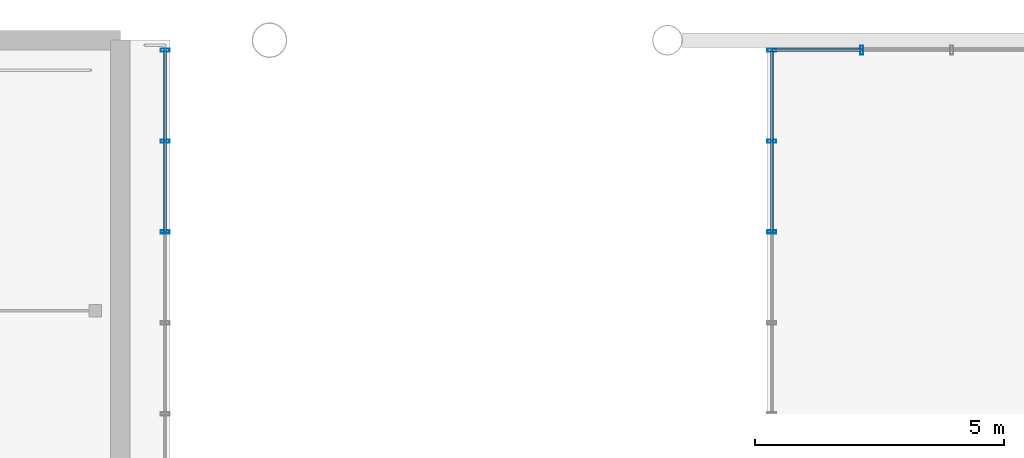
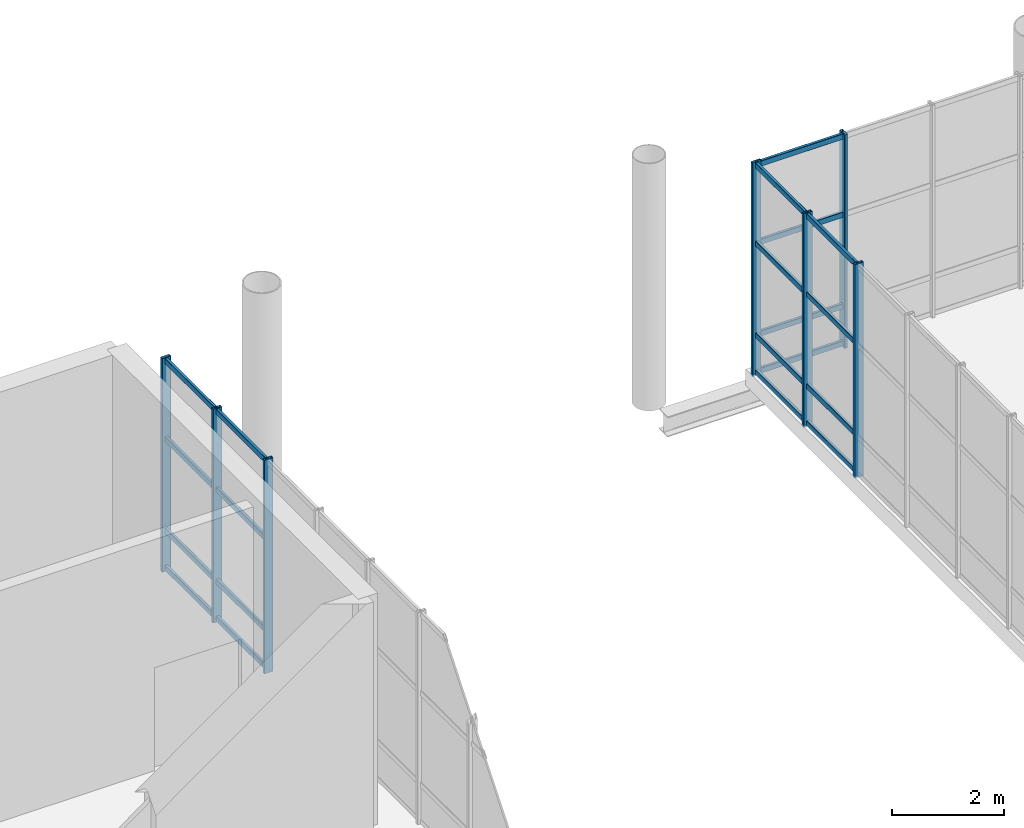
# One storey, part 113 of 176: 27 members, 3 elements without a shape of their own.
"""IFC4 building model written with IfcOpenShell, lengths in metres."""

from ifc_helpers import new_model, si_unit, direction, frame, origin, origin_2d, place, context, subcontext, project, spatial, hollow_rectangle, extrude, material, layer, layer_set, material_profile, profile_set, type_object, element, aggregate, save


model = new_model("IFC4")

# Units and contexts
model_context = context("Model", 3, precision=1e-05, world=origin(), true_north=direction((0.0, 1.0)))
body_context = subcontext(model_context, "Body", "Model", "MODEL_VIEW")
ifc_project = project(units=[si_unit("LENGTHUNIT", "METRE"), si_unit("AREAUNIT", "SQUARE_METRE"), si_unit("VOLUMEUNIT", "CUBIC_METRE"), si_unit("PLANEANGLEUNIT", "RADIAN"), si_unit("MASSUNIT", "GRAM", prefix="KILO")], contexts=[model_context])

# Site, building, storey
site_placement = place(None, origin())
site = spatial("IfcSite", under=ifc_project, at=site_placement, CompositionType="ELEMENT")
building_placement = place(site_placement, origin())
building = spatial("IfcBuilding", under=site, at=building_placement, Name="Khorjan Park Terminus", CompositionType="ELEMENT")
storey_placement = place(building_placement, frame((0.0, 0.0, 6.0)))
storey = spatial("IfcBuildingStorey", under=building, at=storey_placement, Name="L01", CompositionType="ELEMENT", Elevation=6.0)

# Curtain wall, members
ifc_material = material(Name="Anodized Bronze Aluminium", Category="aluminium")
ifc_layer = layer(ifc_material, 0.22)
ifc_layer_set = layer_set([ifc_layer], Name="Anodized Bronze Aluminium")
curtain_wall_type = type_object("IfcCurtainWallType", Name="CW-BRG-D", PredefinedType="NOTDEFINED", material=ifc_layer_set)
curtain_wall_1_placement = place(storey_placement, origin())
curtain_wall_1 = element("IfcCurtainWall", 1, at=curtain_wall_1_placement, inside=storey, type_object=curtain_wall_type, Name="Unitized curtain wall CW-D (CW-BRW-E-4)", PredefinedType="NOTDEFINED")
ifc_material_profile_1 = material_profile(ifc_material, hollow_rectangle(XDim=0.065, YDim=0.18, WallThickness=0.004, InnerFilletRadius=0.004, OuterFilletRadius=0.008, at=origin_2d()), Name="ALM 65x180x4")
ifc_profile_set_1 = profile_set([ifc_material_profile_1], Name="Anodized Bronze Aluminium")
member_type_1 = type_object("IfcMemberType", Name="ML-ALM-180", PredefinedType="MULLION", material=ifc_profile_set_1)
member_1_placement = place(storey_placement, frame((85.9, 150.1429, -0.035), z_axis=(0.0, 0.0, 1.0), x_axis=(0.0, 1.0, 0.0)))
member_1 = element("IfcMember", 2, at=member_1_placement, type_object=member_type_1, Name="Curtain-wall mullion ML-18 (CW-BRW-E-4-5)", PredefinedType="MULLION", context=body_context, shape_type="SweptSolid", body=[
    extrude(hollow_rectangle(XDim=0.065, YDim=0.18, WallThickness=0.004, InnerFilletRadius=0.004, OuterFilletRadius=0.008, at=origin_2d()), origin(), (0.0, 0.0, 1.0), 4.67),
])
member_2_placement = place(storey_placement, frame((85.9, 151.9714, -0.035), z_axis=(0.0, 0.0, 1.0), x_axis=(0.0, 1.0, 0.0)))
member_2 = element("IfcMember", 3, at=member_2_placement, type_object=member_type_1, Name="Curtain-wall mullion ML-18 (CW-BRW-E-4-6)", PredefinedType="MULLION", context=body_context, shape_type="SweptSolid", body=[
    extrude(hollow_rectangle(XDim=0.065, YDim=0.18, WallThickness=0.004, InnerFilletRadius=0.004, OuterFilletRadius=0.008, at=origin_2d()), origin(), (0.0, 0.0, 1.0), 4.67),
])
member_3_placement = place(storey_placement, frame((85.9, 153.8, -0.035), z_axis=(0.0, 0.0, 1.0), x_axis=(0.0, 1.0, 0.0)))
member_3 = element("IfcMember", 4, at=member_3_placement, type_object=member_type_1, Name="Curtain-wall mullion ML-18 (CW-BRW-E-4-7)", PredefinedType="MULLION", context=body_context, shape_type="SweptSolid", body=[
    extrude(hollow_rectangle(XDim=0.065, YDim=0.18, WallThickness=0.004, InnerFilletRadius=0.004, OuterFilletRadius=0.008, at=origin_2d()), origin(), (0.0, 0.0, 1.0), 4.67),
])

curtain_wall_2_placement = place(storey_placement, origin())
curtain_wall_2 = element("IfcCurtainWall", 5, at=curtain_wall_2_placement, inside=storey, type_object=curtain_wall_type, Name="Unitized curtain wall CW-D (CW-BRE-W-4)", PredefinedType="NOTDEFINED")
member_4_placement = place(storey_placement, frame((98.1, 153.8, -0.035), z_axis=(0.0, 0.0, 1.0), x_axis=(0.0, -1.0, 0.0)))
member_4 = element("IfcMember", 6, at=member_4_placement, type_object=member_type_1, Name="Curtain-wall mullion ML-18 (CW-BRE-W-4-0)", PredefinedType="MULLION", context=body_context, shape_type="SweptSolid", body=[
    extrude(hollow_rectangle(XDim=0.065, YDim=0.18, WallThickness=0.004, InnerFilletRadius=0.004, OuterFilletRadius=0.008, at=origin_2d()), origin(), (0.0, 0.0, 1.0), 4.67),
])
member_5_placement = place(storey_placement, frame((98.1, 151.9714, -0.035), z_axis=(0.0, 0.0, 1.0), x_axis=(0.0, -1.0, 0.0)))
member_5 = element("IfcMember", 7, at=member_5_placement, type_object=member_type_1, Name="Curtain-wall mullion ML-18 (CW-BRE-W-4-1)", PredefinedType="MULLION", context=body_context, shape_type="SweptSolid", body=[
    extrude(hollow_rectangle(XDim=0.065, YDim=0.18, WallThickness=0.004, InnerFilletRadius=0.004, OuterFilletRadius=0.008, at=origin_2d()), origin(), (0.0, 0.0, 1.0), 4.67),
])
member_6_placement = place(storey_placement, frame((98.1, 150.1429, -0.035), z_axis=(0.0, 0.0, 1.0), x_axis=(0.0, -1.0, 0.0)))
member_6 = element("IfcMember", 8, at=member_6_placement, type_object=member_type_1, Name="Curtain-wall mullion ML-18 (CW-BRE-W-4-2)", PredefinedType="MULLION", context=body_context, shape_type="SweptSolid", body=[
    extrude(hollow_rectangle(XDim=0.065, YDim=0.18, WallThickness=0.004, InnerFilletRadius=0.004, OuterFilletRadius=0.008, at=origin_2d()), origin(), (0.0, 0.0, 1.0), 4.67),
])

# Curtain wall, member
curtain_wall_3_placement = place(storey_placement, origin())
curtain_wall_3 = element("IfcCurtainWall", 9, at=curtain_wall_3_placement, inside=storey, type_object=curtain_wall_type, Name="Unitized curtain wall CW-D (CW-BRE-N)", PredefinedType="NOTDEFINED")
member_7_placement = place(storey_placement, frame((99.9083, 153.8, -0.035), z_axis=(0.0, 0.0, 1.0), x_axis=(-1.0, 0.0, 0.0)))
member_7 = element("IfcMember", 10, at=member_7_placement, type_object=member_type_1, Name="Curtain-wall mullion ML-18 (CW-BRE-N-11)", PredefinedType="MULLION", context=body_context, shape_type="SweptSolid", body=[
    extrude(hollow_rectangle(XDim=0.065, YDim=0.18, WallThickness=0.004, InnerFilletRadius=0.004, OuterFilletRadius=0.008, at=origin_2d()), origin(), (0.0, 0.0, 1.0), 4.67),
])

# Member
ifc_material_profile_2 = material_profile(ifc_material, hollow_rectangle(XDim=0.06, YDim=0.12, WallThickness=0.004, InnerFilletRadius=0.004, OuterFilletRadius=0.008, at=origin_2d()), Name="ALT 60x120x4")
ifc_profile_set_2 = profile_set([ifc_material_profile_2], Name="Anodized Bronze Aluminium")
member_type_2 = type_object("IfcMemberType", Name="TR-ALT-120", PredefinedType="USERDEFINED", material=ifc_profile_set_2)
member_8_placement = place(storey_placement, frame((85.9, 150.1429, 0.04), z_axis=(0.0, 1.0, 0.0), x_axis=(-1.0, 0.0, 0.0)))
member_8 = element("IfcMember", 11, at=member_8_placement, type_object=member_type_2, Name="Curtain-wall transom TR-12 (CW-BRW-E-4-5-1)", ObjectType="TRANSOM", PredefinedType="USERDEFINED", context=body_context, shape_type="SweptSolid", body=[
    extrude(hollow_rectangle(XDim=0.06, YDim=0.12, WallThickness=0.004, InnerFilletRadius=0.004, OuterFilletRadius=0.008, at=origin_2d()), origin(), (0.0, 0.0, 1.0), 1.8285),
])

member_9_placement = place(storey_placement, frame((85.9, 150.1429, 0.85), z_axis=(0.0, 1.0, 0.0), x_axis=(-1.0, 0.0, 0.0)))
member_9 = element("IfcMember", 12, at=member_9_placement, type_object=member_type_2, Name="Curtain-wall transom TR-12 (CW-BRW-E-4-5-2)", ObjectType="TRANSOM", PredefinedType="USERDEFINED", context=body_context, shape_type="SweptSolid", body=[
    extrude(hollow_rectangle(XDim=0.06, YDim=0.12, WallThickness=0.004, InnerFilletRadius=0.004, OuterFilletRadius=0.008, at=origin_2d()), origin(), (0.0, 0.0, 1.0), 1.8285),
])

member_10_placement = place(storey_placement, frame((85.9, 150.1429, 2.852), z_axis=(0.0, 1.0, 0.0), x_axis=(-1.0, 0.0, 0.0)))
member_10 = element("IfcMember", 13, at=member_10_placement, type_object=member_type_2, Name="Curtain-wall transom TR-12 (CW-BRW-E-4-5-3)", ObjectType="TRANSOM", PredefinedType="USERDEFINED", context=body_context, shape_type="SweptSolid", body=[
    extrude(hollow_rectangle(XDim=0.06, YDim=0.12, WallThickness=0.004, InnerFilletRadius=0.004, OuterFilletRadius=0.008, at=origin_2d()), origin(), (0.0, 0.0, 1.0), 1.8285),
])

member_11_placement = place(storey_placement, frame((85.9, 150.1429, 4.56), z_axis=(0.0, 1.0, 0.0), x_axis=(-1.0, 0.0, 0.0)))
member_11 = element("IfcMember", 14, at=member_11_placement, type_object=member_type_2, Name="Curtain-wall transom TR-12 (CW-BRW-E-4-5-4)", ObjectType="TRANSOM", PredefinedType="USERDEFINED", context=body_context, shape_type="SweptSolid", body=[
    extrude(hollow_rectangle(XDim=0.06, YDim=0.12, WallThickness=0.004, InnerFilletRadius=0.004, OuterFilletRadius=0.008, at=origin_2d()), origin(), (0.0, 0.0, 1.0), 1.8285),
])

member_12_placement = place(storey_placement, frame((85.9, 151.9714, 0.04), z_axis=(0.0, 1.0, 0.0), x_axis=(-1.0, 0.0, 0.0)))
member_12 = element("IfcMember", 15, at=member_12_placement, type_object=member_type_2, Name="Curtain-wall transom TR-12 (CW-BRW-E-4-6-1)", ObjectType="TRANSOM", PredefinedType="USERDEFINED", context=body_context, shape_type="SweptSolid", body=[
    extrude(hollow_rectangle(XDim=0.06, YDim=0.12, WallThickness=0.004, InnerFilletRadius=0.004, OuterFilletRadius=0.008, at=origin_2d()), origin(), (0.0, 0.0, 1.0), 1.8286),
])

member_13_placement = place(storey_placement, frame((85.9, 151.9714, 0.85), z_axis=(0.0, 1.0, 0.0), x_axis=(-1.0, 0.0, 0.0)))
member_13 = element("IfcMember", 16, at=member_13_placement, type_object=member_type_2, Name="Curtain-wall transom TR-12 (CW-BRW-E-4-6-2)", ObjectType="TRANSOM", PredefinedType="USERDEFINED", context=body_context, shape_type="SweptSolid", body=[
    extrude(hollow_rectangle(XDim=0.06, YDim=0.12, WallThickness=0.004, InnerFilletRadius=0.004, OuterFilletRadius=0.008, at=origin_2d()), origin(), (0.0, 0.0, 1.0), 1.8286),
])

member_14_placement = place(storey_placement, frame((85.9, 151.9714, 2.852), z_axis=(0.0, 1.0, 0.0), x_axis=(-1.0, 0.0, 0.0)))
member_14 = element("IfcMember", 17, at=member_14_placement, type_object=member_type_2, Name="Curtain-wall transom TR-12 (CW-BRW-E-4-6-3)", ObjectType="TRANSOM", PredefinedType="USERDEFINED", context=body_context, shape_type="SweptSolid", body=[
    extrude(hollow_rectangle(XDim=0.06, YDim=0.12, WallThickness=0.004, InnerFilletRadius=0.004, OuterFilletRadius=0.008, at=origin_2d()), origin(), (0.0, 0.0, 1.0), 1.8286),
])

member_15_placement = place(storey_placement, frame((85.9, 151.9714, 4.56), z_axis=(0.0, 1.0, 0.0), x_axis=(-1.0, 0.0, 0.0)))
member_15 = element("IfcMember", 18, at=member_15_placement, type_object=member_type_2, Name="Curtain-wall transom TR-12 (CW-BRW-E-4-6-4)", ObjectType="TRANSOM", PredefinedType="USERDEFINED", context=body_context, shape_type="SweptSolid", body=[
    extrude(hollow_rectangle(XDim=0.06, YDim=0.12, WallThickness=0.004, InnerFilletRadius=0.004, OuterFilletRadius=0.008, at=origin_2d()), origin(), (0.0, 0.0, 1.0), 1.8286),
])

aggregate(curtain_wall_1, [member_1, member_2, member_3, member_8, member_9, member_10, member_11, member_12, member_13, member_14, member_15])

member_16_placement = place(storey_placement, frame((98.1, 153.8, 0.04), z_axis=(0.0, -1.0, 0.0), x_axis=(1.0, 0.0, 0.0)))
member_16 = element("IfcMember", 19, at=member_16_placement, type_object=member_type_2, Name="Curtain-wall transom TR-12 (CW-BRE-W-4-0-1)", ObjectType="TRANSOM", PredefinedType="USERDEFINED", context=body_context, shape_type="SweptSolid", body=[
    extrude(hollow_rectangle(XDim=0.06, YDim=0.12, WallThickness=0.004, InnerFilletRadius=0.004, OuterFilletRadius=0.008, at=origin_2d()), origin(), (0.0, 0.0, 1.0), 1.8286),
])

member_17_placement = place(storey_placement, frame((98.1, 153.8, 0.85), z_axis=(0.0, -1.0, 0.0), x_axis=(1.0, 0.0, 0.0)))
member_17 = element("IfcMember", 20, at=member_17_placement, type_object=member_type_2, Name="Curtain-wall transom TR-12 (CW-BRE-W-4-0-2)", ObjectType="TRANSOM", PredefinedType="USERDEFINED", context=body_context, shape_type="SweptSolid", body=[
    extrude(hollow_rectangle(XDim=0.06, YDim=0.12, WallThickness=0.004, InnerFilletRadius=0.004, OuterFilletRadius=0.008, at=origin_2d()), origin(), (0.0, 0.0, 1.0), 1.8286),
])

member_18_placement = place(storey_placement, frame((98.1, 153.8, 2.852), z_axis=(0.0, -1.0, 0.0), x_axis=(1.0, 0.0, 0.0)))
member_18 = element("IfcMember", 21, at=member_18_placement, type_object=member_type_2, Name="Curtain-wall transom TR-12 (CW-BRE-W-4-0-3)", ObjectType="TRANSOM", PredefinedType="USERDEFINED", context=body_context, shape_type="SweptSolid", body=[
    extrude(hollow_rectangle(XDim=0.06, YDim=0.12, WallThickness=0.004, InnerFilletRadius=0.004, OuterFilletRadius=0.008, at=origin_2d()), origin(), (0.0, 0.0, 1.0), 1.8286),
])

member_19_placement = place(storey_placement, frame((98.1, 153.8, 4.56), z_axis=(0.0, -1.0, 0.0), x_axis=(1.0, 0.0, 0.0)))
member_19 = element("IfcMember", 22, at=member_19_placement, type_object=member_type_2, Name="Curtain-wall transom TR-12 (CW-BRE-W-4-0-4)", ObjectType="TRANSOM", PredefinedType="USERDEFINED", context=body_context, shape_type="SweptSolid", body=[
    extrude(hollow_rectangle(XDim=0.06, YDim=0.12, WallThickness=0.004, InnerFilletRadius=0.004, OuterFilletRadius=0.008, at=origin_2d()), origin(), (0.0, 0.0, 1.0), 1.8286),
])

member_20_placement = place(storey_placement, frame((98.1, 151.9714, 0.04), z_axis=(0.0, -1.0, 0.0), x_axis=(1.0, 0.0, 0.0)))
member_20 = element("IfcMember", 23, at=member_20_placement, type_object=member_type_2, Name="Curtain-wall transom TR-12 (CW-BRE-W-4-1-1)", ObjectType="TRANSOM", PredefinedType="USERDEFINED", context=body_context, shape_type="SweptSolid", body=[
    extrude(hollow_rectangle(XDim=0.06, YDim=0.12, WallThickness=0.004, InnerFilletRadius=0.004, OuterFilletRadius=0.008, at=origin_2d()), origin(), (0.0, 0.0, 1.0), 1.8285),
])

member_21_placement = place(storey_placement, frame((98.1, 151.9714, 0.85), z_axis=(0.0, -1.0, 0.0), x_axis=(1.0, 0.0, 0.0)))
member_21 = element("IfcMember", 24, at=member_21_placement, type_object=member_type_2, Name="Curtain-wall transom TR-12 (CW-BRE-W-4-1-2)", ObjectType="TRANSOM", PredefinedType="USERDEFINED", context=body_context, shape_type="SweptSolid", body=[
    extrude(hollow_rectangle(XDim=0.06, YDim=0.12, WallThickness=0.004, InnerFilletRadius=0.004, OuterFilletRadius=0.008, at=origin_2d()), origin(), (0.0, 0.0, 1.0), 1.8285),
])

member_22_placement = place(storey_placement, frame((98.1, 151.9714, 2.852), z_axis=(0.0, -1.0, 0.0), x_axis=(1.0, 0.0, 0.0)))
member_22 = element("IfcMember", 25, at=member_22_placement, type_object=member_type_2, Name="Curtain-wall transom TR-12 (CW-BRE-W-4-1-3)", ObjectType="TRANSOM", PredefinedType="USERDEFINED", context=body_context, shape_type="SweptSolid", body=[
    extrude(hollow_rectangle(XDim=0.06, YDim=0.12, WallThickness=0.004, InnerFilletRadius=0.004, OuterFilletRadius=0.008, at=origin_2d()), origin(), (0.0, 0.0, 1.0), 1.8285),
])

member_23_placement = place(storey_placement, frame((98.1, 151.9714, 4.56), z_axis=(0.0, -1.0, 0.0), x_axis=(1.0, 0.0, 0.0)))
member_23 = element("IfcMember", 26, at=member_23_placement, type_object=member_type_2, Name="Curtain-wall transom TR-12 (CW-BRE-W-4-1-4)", ObjectType="TRANSOM", PredefinedType="USERDEFINED", context=body_context, shape_type="SweptSolid", body=[
    extrude(hollow_rectangle(XDim=0.06, YDim=0.12, WallThickness=0.004, InnerFilletRadius=0.004, OuterFilletRadius=0.008, at=origin_2d()), origin(), (0.0, 0.0, 1.0), 1.8285),
])

aggregate(curtain_wall_2, [member_4, member_5, member_6, member_16, member_17, member_18, member_19, member_20, member_21, member_22, member_23])

member_24_placement = place(storey_placement, frame((99.9083, 153.8, 0.04), z_axis=(-1.0, 0.0, 0.0), x_axis=(0.0, -1.0, 0.0)))
member_24 = element("IfcMember", 27, at=member_24_placement, type_object=member_type_2, Name="Curtain-wall transom TR-12 (CW-BRE-N-11-1)", ObjectType="TRANSOM", PredefinedType="USERDEFINED", context=body_context, shape_type="SweptSolid", body=[
    extrude(hollow_rectangle(XDim=0.06, YDim=0.12, WallThickness=0.004, InnerFilletRadius=0.004, OuterFilletRadius=0.008, at=origin_2d()), origin(), (0.0, 0.0, 1.0), 1.8083),
])

member_25_placement = place(storey_placement, frame((99.9083, 153.8, 0.85), z_axis=(-1.0, 0.0, 0.0), x_axis=(0.0, -1.0, 0.0)))
member_25 = element("IfcMember", 28, at=member_25_placement, type_object=member_type_2, Name="Curtain-wall transom TR-12 (CW-BRE-N-11-2)", ObjectType="TRANSOM", PredefinedType="USERDEFINED", context=body_context, shape_type="SweptSolid", body=[
    extrude(hollow_rectangle(XDim=0.06, YDim=0.12, WallThickness=0.004, InnerFilletRadius=0.004, OuterFilletRadius=0.008, at=origin_2d()), origin(), (0.0, 0.0, 1.0), 1.8083),
])

member_26_placement = place(storey_placement, frame((99.9083, 153.8, 2.852), z_axis=(-1.0, 0.0, 0.0), x_axis=(0.0, -1.0, 0.0)))
member_26 = element("IfcMember", 29, at=member_26_placement, type_object=member_type_2, Name="Curtain-wall transom TR-12 (CW-BRE-N-11-3)", ObjectType="TRANSOM", PredefinedType="USERDEFINED", context=body_context, shape_type="SweptSolid", body=[
    extrude(hollow_rectangle(XDim=0.06, YDim=0.12, WallThickness=0.004, InnerFilletRadius=0.004, OuterFilletRadius=0.008, at=origin_2d()), origin(), (0.0, 0.0, 1.0), 1.8083),
])

member_27_placement = place(storey_placement, frame((99.9083, 153.8, 4.56), z_axis=(-1.0, 0.0, 0.0), x_axis=(0.0, -1.0, 0.0)))
member_27 = element("IfcMember", 30, at=member_27_placement, type_object=member_type_2, Name="Curtain-wall transom TR-12 (CW-BRE-N-11-4)", ObjectType="TRANSOM", PredefinedType="USERDEFINED", context=body_context, shape_type="SweptSolid", body=[
    extrude(hollow_rectangle(XDim=0.06, YDim=0.12, WallThickness=0.004, InnerFilletRadius=0.004, OuterFilletRadius=0.008, at=origin_2d()), origin(), (0.0, 0.0, 1.0), 1.8083),
])

aggregate(curtain_wall_3, [member_7, member_24, member_25, member_26, member_27])

save(model, "model.ifc")
